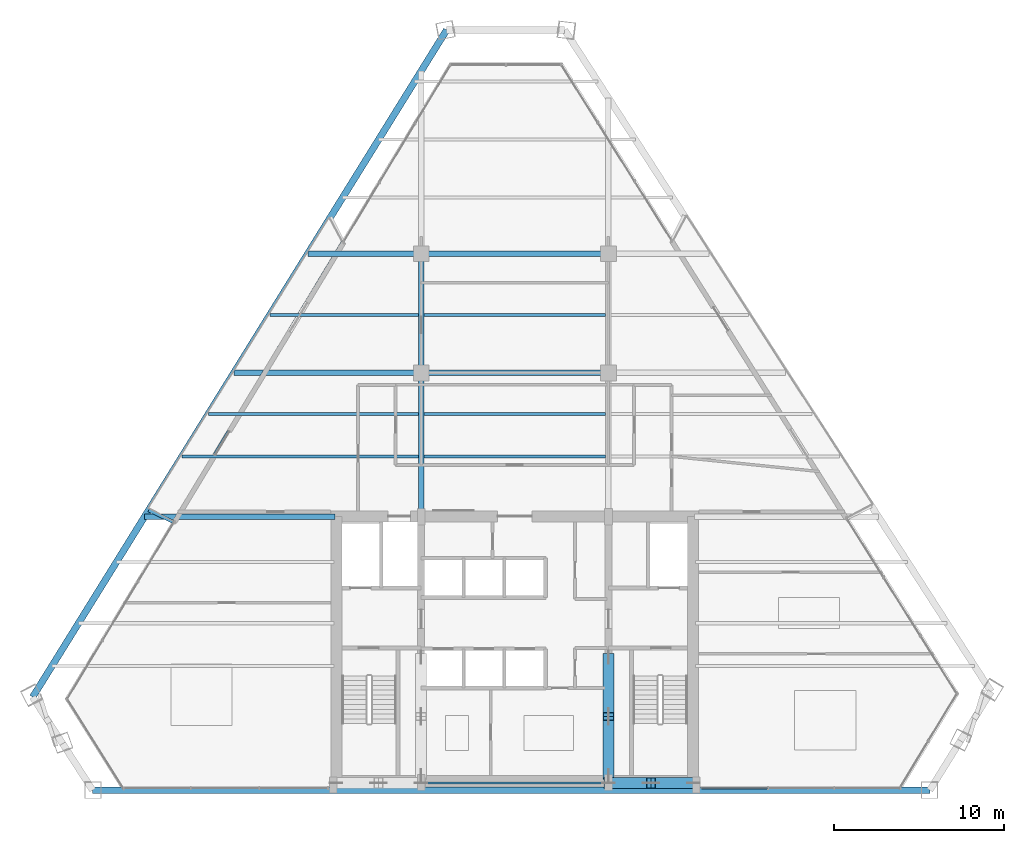
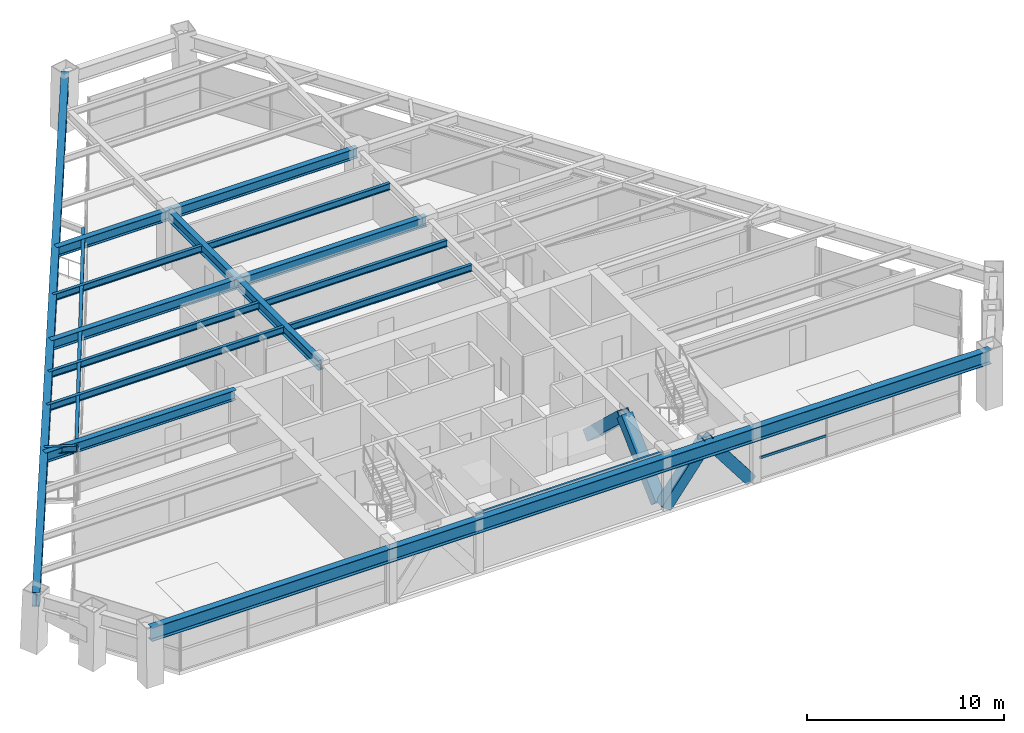
# One storey, part 3 of 12: 18 beams, 5 members, 1 element without a shape of its own.
"""IFC4 building model written with IfcOpenShell, lengths in metres."""

from ifc_helpers import new_model, si_unit, direction, frame, origin, origin_2d, place, context, subcontext, project, spatial, rectangle, hollow_rectangle, i_section, extrude, source, transform, mapped, material, material_profile, profile_set, type_object, type_shapes, element, aggregate, save


model = new_model("IFC4")

# Units and contexts
model_context = context("Model", 3, precision=1e-05, world=origin(), true_north=direction((0.0, 1.0)))
body_context = subcontext(model_context, "Body", "Model", "MODEL_VIEW")
ifc_project = project(units=[si_unit("LENGTHUNIT", "METRE"), si_unit("AREAUNIT", "SQUARE_METRE"), si_unit("VOLUMEUNIT", "CUBIC_METRE"), si_unit("PLANEANGLEUNIT", "RADIAN"), si_unit("MASSUNIT", "GRAM", prefix="KILO")], contexts=[model_context])

# Site, building, storey
site_placement = place(None, origin())
site = spatial("IfcSite", under=ifc_project, at=site_placement, CompositionType="ELEMENT")
building_placement = place(site_placement, origin())
building = spatial("IfcBuilding", under=site, at=building_placement, Name="Varnakhor Terracotta Tower", CompositionType="ELEMENT")
storey_placement = place(building_placement, frame((0.0, 0.0, 211.699951171875)))
storey = spatial("IfcBuildingStorey", under=building, at=storey_placement, Name="L54", CompositionType="ELEMENT", Elevation=211.699951171875)

# Beams
ifc_material_1 = material(Name="Steel S355", Category="steel")
ifc_material_profile_1 = material_profile(ifc_material_1, i_section(OverallWidth=0.1201171875, OverallDepth=0.239990234375, WebThickness=0.006103515625, FlangeThickness=0.009765625, FilletRadius=0.01806640625, at=origin_2d()), Name="IPE240")
ifc_profile_set_1 = profile_set([ifc_material_profile_1], Name="Steel S355")
beam_type_1 = type_object("IfcBeamType", Name="LNT-IPE240", PredefinedType="LINTEL", material=ifc_profile_set_1)
shared_shape_1 = source(origin(), body_context, "Body", "SweptSolid", [
    extrude(i_section(OverallWidth=0.1201171875, OverallDepth=0.239990234375, WebThickness=0.006103515625, FlangeThickness=0.009765625, FilletRadius=0.01806640625, at=origin_2d()), origin(), (0.0, 0.0, 1.0), 11.0),
])
type_shapes(beam_type_1, [shared_shape_1])
beam_1_placement = place(storey_placement, frame((-5.5, 0.419921875, 3.300048828125), z_axis=(1.0, 0.0, 0.0), x_axis=(0.0, 1.0, 0.0)))
element("IfcBeam", 1, at=beam_1_placement, inside=storey, type_object=beam_type_1, Name="L54 Core South Coupling Lintel", PredefinedType="LINTEL", context=body_context, shape_type="MappedRepresentation", body=[
    mapped(shared_shape_1, transform((0.0, 0.0, 0.0), scale=1.0)),
])
ifc_material_profile_2 = material_profile(ifc_material_1, i_section(OverallWidth=0.324951171875, OverallDepth=0.615966796875, WebThickness=0.013916015625, FlangeThickness=0.02197265625, FilletRadius=0.01806640625, at=origin_2d()), Name="W24X117")
ifc_profile_set_2 = profile_set([ifc_material_profile_2], Name="Steel S355")
beam_type_2 = type_object("IfcBeamType", Name="BM-W24X117", PredefinedType="BEAM", material=ifc_profile_set_2)
shared_shape_2 = source(origin(), body_context, "Body", "SweptSolid", [
    extrude(i_section(OverallWidth=0.324951171875, OverallDepth=0.615966796875, WebThickness=0.013916015625, FlangeThickness=0.02197265625, FilletRadius=0.01806640625, at=origin_2d()), origin(), (0.0, 0.0, 1.0), 8.449951171875),
])
type_shapes(beam_type_2, [shared_shape_2])
beam_2_placement = place(storey_placement, frame((-5.5, 16.050048828125, 3.112060546875), z_axis=(0.0, 1.0, 0.0), x_axis=(-1.0, 0.0, 0.0)))
element("IfcBeam", 2, at=beam_2_placement, inside=storey, type_object=beam_type_2, Name="L54 Primary Girder NS1-W", PredefinedType="BEAM", context=body_context, shape_type="MappedRepresentation", body=[
    mapped(shared_shape_2, transform((0.0, 0.0, 0.0), scale=1.0)),
])
shared_shape_3 = source(origin(), body_context, "Body", "SweptSolid", [
    extrude(i_section(OverallWidth=0.324951171875, OverallDepth=0.615966796875, WebThickness=0.013916015625, FlangeThickness=0.02197265625, FilletRadius=0.01806640625, at=origin_2d()), origin(), (0.0, 0.0, 1.0), 7.0),
])
beam_3_placement = place(storey_placement, frame((-5.5, 24.5, 3.112060546875), z_axis=(0.0, 1.0, 0.0), x_axis=(-1.0, 0.0, 0.0)))
element("IfcBeam", 3, at=beam_3_placement, inside=storey, type_object=beam_type_2, Name="L54 Primary Girder NS2-W", PredefinedType="BEAM", context=body_context, shape_type="MappedRepresentation", body=[
    mapped(shared_shape_3, transform((0.0, 0.0, 0.0), scale=1.0)),
])
shared_shape_4 = source(origin(), body_context, "Body", "SweptSolid", [
    extrude(i_section(OverallWidth=0.324951171875, OverallDepth=0.615966796875, WebThickness=0.013916015625, FlangeThickness=0.02197265625, FilletRadius=0.01806640625, at=origin_2d()), origin(), (0.0, 0.0, 1.0), 11.0),
])
for number, where, z_axis, x_axis, name in (
    (4, (-5.5, 24.5, 3.112060546875), (1.0, 0.0, 0.0), (0.0, 1.0, 0.0), "L54 Primary Girder EW2-2"),
    (5, (-5.5, 31.5, 3.112060546875), (1.0, 0.0, 0.0), (0.0, 1.0, 0.0), "L54 Primary Girder EW3-2"),
):
    element("IfcBeam", number, at=place(storey_placement, frame(where, z_axis=z_axis, x_axis=x_axis)), inside=storey, type_object=beam_type_2, Name=name, PredefinedType="BEAM", context=body_context, shape_type="MappedRepresentation", body=[
        mapped(shared_shape_4, transform((0.0, 0.0, 0.0), scale=1.0)),
    ])
ifc_material_profile_3 = material_profile(ifc_material_1, i_section(OverallWidth=0.179931640625, OverallDepth=0.4130859375, WebThickness=0.009765625, FlangeThickness=0.01611328125, FilletRadius=0.01806640625, at=origin_2d()), Name="W16X50")
ifc_profile_set_3 = profile_set([ifc_material_profile_3], Name="Steel S355")
beam_type_3 = type_object("IfcBeamType", Name="JST-W16X50", PredefinedType="JOIST", material=ifc_profile_set_3)
shared_shape_5 = source(origin(), body_context, "Body", "SweptSolid", [
    extrude(i_section(OverallWidth=0.179931640625, OverallDepth=0.4130859375, WebThickness=0.009765625, FlangeThickness=0.01611328125, FilletRadius=0.01806640625, at=origin_2d()), origin(), (0.0, 0.0, 1.0), 10.68310546875),
])
for number, where, z_axis, x_axis, name in (
    (6, (-5.341552734375, 19.60009765625, 3.213623046875), (1.0, 0.0, 0.0), (0.0, 1.0, 0.0), "L54 Composite Floor Joist 4-2"),
    (7, (-5.341552734375, 22.10009765625, 3.213623046875), (1.0, 0.0, 0.0), (0.0, 1.0, 0.0), "L54 Composite Floor Joist 5-2"),
    (8, (-5.341552734375, 27.89990234375, 3.213623046875), (1.0, 0.0, 0.0), (0.0, 1.0, 0.0), "L54 Composite Floor Joist 6-2"),
):
    element("IfcBeam", number, at=place(storey_placement, frame(where, z_axis=z_axis, x_axis=x_axis)), inside=storey, type_object=beam_type_3, Name=name, PredefinedType="JOIST", context=body_context, shape_type="MappedRepresentation", body=[
        mapped(shared_shape_5, transform((0.0, 0.0, 0.0), scale=1.0)),
    ])
ifc_material_profile_4 = material_profile(ifc_material_1, i_section(OverallWidth=0.39990234375, OverallDepth=0.85498046875, WebThickness=0.01806640625, FlangeThickness=0.029052734375, FilletRadius=0.01806640625, at=origin_2d()), Name="W33X201")
ifc_profile_set_4 = profile_set([ifc_material_profile_4], Name="Steel S355")
beam_type_4 = type_object("IfcBeamType", Name="BM-W33X201", PredefinedType="BEAM", material=ifc_profile_set_4)
shared_shape_6 = source(origin(), body_context, "Body", "SweptSolid", [
    extrude(i_section(OverallWidth=0.39990234375, OverallDepth=0.85498046875, WebThickness=0.01806640625, FlangeThickness=0.029052734375, FilletRadius=0.01806640625, at=origin_2d()), origin(), (0.0, 0.0, 1.0), 49.157470703125),
])
beam_4_placement = place(storey_placement, frame((-24.78515625, 0.0, 2.992431640625), z_axis=(1.0, 0.0, 0.0), x_axis=(0.0, 1.0, 0.0)))
element("IfcBeam", 9, at=beam_4_placement, inside=storey, type_object=beam_type_4, Name="L54 Perimeter Spandrel 1", PredefinedType="BEAM", context=body_context, shape_type="MappedRepresentation", body=[
    mapped(shared_shape_6, transform((0.0, 0.0, 0.0), scale=1.0)),
])
shared_shape_7 = source(origin(), body_context, "Body", "SweptSolid", [
    extrude(i_section(OverallWidth=0.39990234375, OverallDepth=0.85498046875, WebThickness=0.01806640625, FlangeThickness=0.029052734375, FilletRadius=0.01806640625, at=origin_2d()), origin(), (0.0, 0.0, 1.0), 46.10205078125),
])
beam_5_placement = place(storey_placement, frame((-3.99951171875, 44.6376953125, 2.992431640625), z_axis=(-0.527261486083, -0.849703080666, 0.0), x_axis=(0.849703080666, -0.527261486083, 0.0)))
element("IfcBeam", 10, at=beam_5_placement, inside=storey, type_object=beam_type_4, Name="L54 Perimeter Spandrel 6", PredefinedType="BEAM", context=body_context, shape_type="MappedRepresentation", body=[
    mapped(shared_shape_7, transform((0.0, 0.0, 0.0), scale=1.0)),
])
ifc_material_profile_5 = material_profile(ifc_material_1, i_section(OverallWidth=0.179931640625, OverallDepth=0.39990234375, WebThickness=0.008544921875, FlangeThickness=0.013427734375, FilletRadius=0.01806640625, at=origin_2d()), Name="IPE400")
ifc_profile_set_5 = profile_set([ifc_material_profile_5], Name="Steel S355")
beam_type_5 = type_object("IfcBeamType", Name="JST-IPE400", PredefinedType="JOIST", material=ifc_profile_set_5)
shared_shape_8 = source(origin(), body_context, "Body", "SweptSolid", [
    extrude(i_section(OverallWidth=0.179931640625, OverallDepth=0.39990234375, WebThickness=0.008544921875, FlangeThickness=0.013427734375, FilletRadius=0.01806640625, at=origin_2d()), origin(), (0.0, 0.0, 1.0), 19.25927734375),
])
beam_6_placement = place(storey_placement, frame((-10.083740234375, 32.224609375, 3.219970703125), z_axis=(-0.516051519047, -0.856557546047, 0.0), x_axis=(0.856557546047, -0.516051519047, 0.0)))
element("IfcBeam", 11, at=beam_6_placement, inside=storey, type_object=beam_type_5, Name="L54 Loggia Edge Beam 2", PredefinedType="JOIST", context=body_context, shape_type="MappedRepresentation", body=[
    mapped(shared_shape_8, transform((0.0, 0.0, 0.0), scale=1.0)),
])
shared_shape_9 = source(origin(), body_context, "Body", "SweptSolid", [
    extrude(i_section(OverallWidth=0.324951171875, OverallDepth=0.615966796875, WebThickness=0.013916015625, FlangeThickness=0.02197265625, FilletRadius=0.01806640625, at=origin_2d()), origin(), (0.0, 0.0, 1.0), 11.188720703125),
])
beam_7_placement = place(storey_placement, frame((-21.73876953125, 16.050048828125, 3.112060546875), z_axis=(1.0, 0.0, 0.0), x_axis=(0.0, 1.0, 0.0)))
element("IfcBeam", 12, at=beam_7_placement, inside=storey, type_object=beam_type_2, Name="L54 Wing Girder W", PredefinedType="BEAM", context=body_context, shape_type="MappedRepresentation", body=[
    mapped(shared_shape_9, transform((0.0, 0.0, 0.0), scale=1.0)),
])
shared_shape_10 = source(origin(), body_context, "Body", "SweptSolid", [
    extrude(i_section(OverallWidth=0.324951171875, OverallDepth=0.615966796875, WebThickness=0.013916015625, FlangeThickness=0.02197265625, FilletRadius=0.01806640625, at=origin_2d()), origin(), (0.0, 0.0, 1.0), 10.995361328125),
])
beam_8_placement = place(storey_placement, frame((-16.495361328125, 24.5, 3.112060546875), z_axis=(1.0, 0.0, 0.0), x_axis=(0.0, 1.0, 0.0)))
element("IfcBeam", 13, at=beam_8_placement, inside=storey, type_object=beam_type_2, Name="L54 Primary Girder EW2-1", PredefinedType="BEAM", context=body_context, shape_type="MappedRepresentation", body=[
    mapped(shared_shape_10, transform((0.0, 0.0, 0.0), scale=1.0)),
])
shared_shape_11 = source(origin(), body_context, "Body", "SweptSolid", [
    extrude(i_section(OverallWidth=0.324951171875, OverallDepth=0.615966796875, WebThickness=0.013916015625, FlangeThickness=0.02197265625, FilletRadius=0.01806640625, at=origin_2d()), origin(), (0.0, 0.0, 1.0), 6.651611328125),
])
beam_9_placement = place(storey_placement, frame((-12.151611328125, 31.5, 3.112060546875), z_axis=(1.0, 0.0, 0.0), x_axis=(0.0, 1.0, 0.0)))
element("IfcBeam", 14, at=beam_9_placement, inside=storey, type_object=beam_type_2, Name="L54 Primary Girder EW3-1", PredefinedType="BEAM", context=body_context, shape_type="MappedRepresentation", body=[
    mapped(shared_shape_11, transform((0.0, 0.0, 0.0), scale=1.0)),
])
shared_shape_12 = source(origin(), body_context, "Body", "SweptSolid", [
    extrude(i_section(OverallWidth=0.179931640625, OverallDepth=0.4130859375, WebThickness=0.009765625, FlangeThickness=0.01611328125, FilletRadius=0.01806640625, at=origin_2d()), origin(), (0.0, 0.0, 1.0), 13.87744140625),
])
beam_10_placement = place(storey_placement, frame((-19.535888671875, 19.60009765625, 3.213623046875), z_axis=(1.0, 0.0, 0.0), x_axis=(0.0, 1.0, 0.0)))
element("IfcBeam", 15, at=beam_10_placement, inside=storey, type_object=beam_type_3, Name="L54 Composite Floor Joist 4-1", PredefinedType="JOIST", context=body_context, shape_type="MappedRepresentation", body=[
    mapped(shared_shape_12, transform((0.0, 0.0, 0.0), scale=1.0)),
])
shared_shape_13 = source(origin(), body_context, "Body", "SweptSolid", [
    extrude(i_section(OverallWidth=0.179931640625, OverallDepth=0.4130859375, WebThickness=0.009765625, FlangeThickness=0.01611328125, FilletRadius=0.01806640625, at=origin_2d()), origin(), (0.0, 0.0, 1.0), 12.326171875),
])
beam_11_placement = place(storey_placement, frame((-17.984619140625, 22.10009765625, 3.213623046875), z_axis=(1.0, 0.0, 0.0), x_axis=(0.0, 1.0, 0.0)))
element("IfcBeam", 16, at=beam_11_placement, inside=storey, type_object=beam_type_3, Name="L54 Composite Floor Joist 5-1", PredefinedType="JOIST", context=body_context, shape_type="MappedRepresentation", body=[
    mapped(shared_shape_13, transform((0.0, 0.0, 0.0), scale=1.0)),
])
shared_shape_14 = source(origin(), body_context, "Body", "SweptSolid", [
    extrude(i_section(OverallWidth=0.179931640625, OverallDepth=0.4130859375, WebThickness=0.009765625, FlangeThickness=0.01611328125, FilletRadius=0.01806640625, at=origin_2d()), origin(), (0.0, 0.0, 1.0), 8.72705078125),
])
beam_12_placement = place(storey_placement, frame((-14.385498046875, 27.89990234375, 3.213623046875), z_axis=(1.0, 0.0, 0.0), x_axis=(0.0, 1.0, 0.0)))
element("IfcBeam", 17, at=beam_12_placement, inside=storey, type_object=beam_type_3, Name="L54 Composite Floor Joist 6-1", PredefinedType="JOIST", context=body_context, shape_type="MappedRepresentation", body=[
    mapped(shared_shape_14, transform((0.0, 0.0, 0.0), scale=1.0)),
])

# Members
ifc_material_2 = material(Name="Steel S460", Category="steel")
ifc_material_profile_6 = material_profile(ifc_material_2, hollow_rectangle(XDim=0.64990234375, YDim=0.64990234375, WallThickness=0.0400390625, at=origin_2d()), Name="HSS650X650X40")
ifc_profile_set_6 = profile_set([ifc_material_profile_6], Name="Steel S460")
member_type_1 = type_object("IfcMemberType", Name="MBR-MEGA-650", PredefinedType="BRACE", material=ifc_profile_set_6)
shared_shape_15 = source(origin(), body_context, "Body", "SweptSolid", [
    extrude(hollow_rectangle(XDim=0.64990234375, YDim=0.64990234375, WallThickness=0.0400390625, at=origin_2d()), origin(), (0.0, 0.0, 1.0), 4.1162109375),
])
for number, where, z_axis, x_axis, name in (
    (18, (5.5, 0.419921875, 0.0), (0.607357638477, 0.0, 0.794428536109), (0.0, 1.0, 0.0), "L54 Core Coupled Brace CSEA"),
    (19, (10.5, 0.419921875, 0.0), (-0.607357638477, 0.0, 0.794428536109), (0.0, -1.0, 0.0), "L54 Core Coupled Brace CSEB"),
):
    element("IfcMember", number, at=place(storey_placement, frame(where, z_axis=z_axis, x_axis=x_axis)), inside=storey, type_object=member_type_1, Name=name, PredefinedType="BRACE", context=body_context, shape_type="MappedRepresentation", body=[
        mapped(shared_shape_15, transform((0.0, 0.0, 0.0), scale=1.0)),
    ])
shared_shape_16 = source(origin(), body_context, "Body", "SweptSolid", [
    extrude(hollow_rectangle(XDim=0.64990234375, YDim=0.64990234375, WallThickness=0.0400390625, at=origin_2d()), origin(), (0.0, 0.0, 1.0), 4.771484375),
])
member_1_placement = place(storey_placement, frame((5.5, 0.85009765625, 0.0), z_axis=(0.0, 0.728245054713, 0.685316817454), x_axis=(-1.0, 0.0, 0.0)))
element("IfcMember", 20, at=member_1_placement, inside=storey, type_object=member_type_1, Name="L54 Core Coupled Brace CWEA", PredefinedType="BRACE", context=body_context, shape_type="MappedRepresentation", body=[
    mapped(shared_shape_16, transform((0.0, 0.0, 0.0), scale=1.0)),
])
shared_shape_17 = source(origin(), body_context, "Body", "SweptSolid", [
    extrude(hollow_rectangle(XDim=0.64990234375, YDim=0.64990234375, WallThickness=0.0400390625, at=origin_2d()), origin(), (0.0, 0.0, 1.0), 4.771728515625),
])
member_2_placement = place(storey_placement, frame((5.5, 7.800048828125, 0.0), z_axis=(0.0, -0.728269083929, 0.685291282152), x_axis=(1.0, 0.0, 0.0)))
element("IfcMember", 21, at=member_2_placement, inside=storey, type_object=member_type_1, Name="L54 Core Coupled Brace CWEB", PredefinedType="BRACE", context=body_context, shape_type="MappedRepresentation", body=[
    mapped(shared_shape_17, transform((0.0, 0.0, 0.0), scale=1.0)),
])

# Curtain wall, member
ifc_material_3 = material(Name="Anodised Aluminium Curtain Wall System", Category="aluminium")
curtain_wall_type = type_object("IfcCurtainWallType", Name="CW-SYS-MID-OFFICE", PredefinedType="NOTDEFINED", material=ifc_material_3)
curtain_wall_placement = place(storey_placement, origin())
curtain_wall = element("IfcCurtainWall", 22, at=curtain_wall_placement, inside=storey, type_object=curtain_wall_type, Name="L54 South Wing Curtain Wall SSE", PredefinedType="NOTDEFINED")
ifc_material_4 = material(Name="Anodised Aluminium 6063-T6", Category="aluminium")
ifc_material_profile_7 = material_profile(ifc_material_4, rectangle(XDim=0.070068359375, YDim=0.155029296875, at=origin_2d()), Name="ALU TRANSOM 70x155")
ifc_profile_set_7 = profile_set([ifc_material_profile_7], Name="Anodised Aluminium 6063-T6")
member_type_2 = type_object("IfcMemberType", Name="CWT-03", PredefinedType="USERDEFINED", material=ifc_profile_set_7)
shared_shape_18 = source(origin(), body_context, "Body", "SweptSolid", [
    extrude(rectangle(XDim=0.070068359375, YDim=0.155029296875, at=origin_2d()), origin(), (0.0, 0.0, 1.0), 3.898681640625),
])
member_3_placement = place(storey_placement, frame((14.86865234375, 0.1201171875, 1.260009765625), z_axis=(-1.0, 0.0, 0.0), x_axis=(0.0, -1.0, 0.0)))
member_3 = element("IfcMember", 23, at=member_3_placement, type_object=member_type_2, Name="L54 South Wing Curtain Wall SSE Transom 3", ObjectType="TRANSOM", PredefinedType="USERDEFINED", context=body_context, shape_type="MappedRepresentation", body=[
    mapped(shared_shape_18, transform((0.0, 0.0, 0.0), scale=1.0)),
])
aggregate(curtain_wall, [member_3])

# Beam
shared_shape_19 = source(origin(), body_context, "Body", "SweptSolid", [
    extrude(i_section(OverallWidth=0.179931640625, OverallDepth=0.39990234375, WebThickness=0.008544921875, FlangeThickness=0.013427734375, FilletRadius=0.01806640625, at=origin_2d()), origin(), (0.0, 0.0, 1.0), 1.63818359375),
])
beam_13_placement = place(storey_placement, frame((-20.0224609375, 15.72802734375, 3.219970703125), z_axis=(-0.902645545367, 0.430384734195, 0.0), x_axis=(-0.430384734195, -0.902645545367, 0.0)))
element("IfcBeam", 24, at=beam_13_placement, inside=storey, type_object=beam_type_5, Name="L55 W Loggia Tie Beam 1", PredefinedType="JOIST", context=body_context, shape_type="MappedRepresentation", body=[
    mapped(shared_shape_19, transform((0.0, 0.0, 0.0), scale=1.0)),
])

save(model, "model.ifc")
